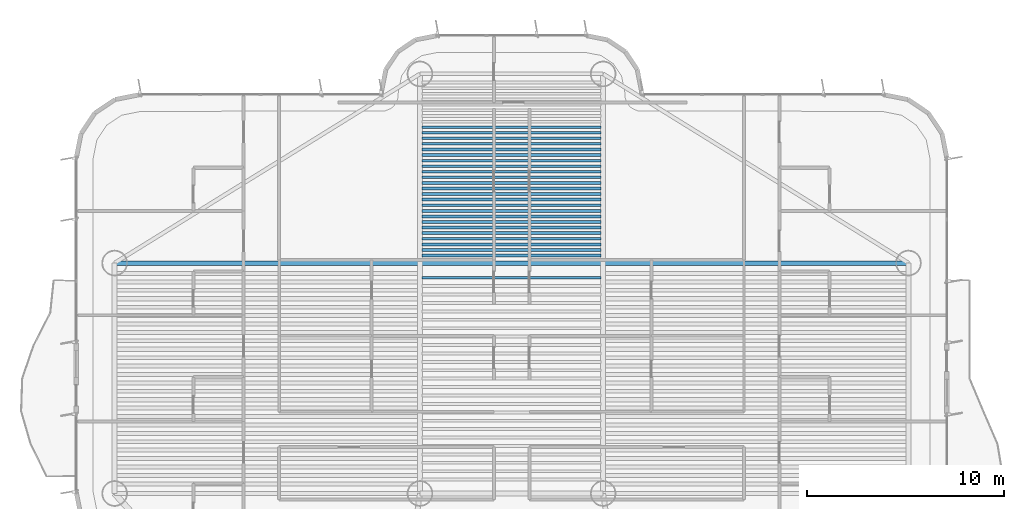
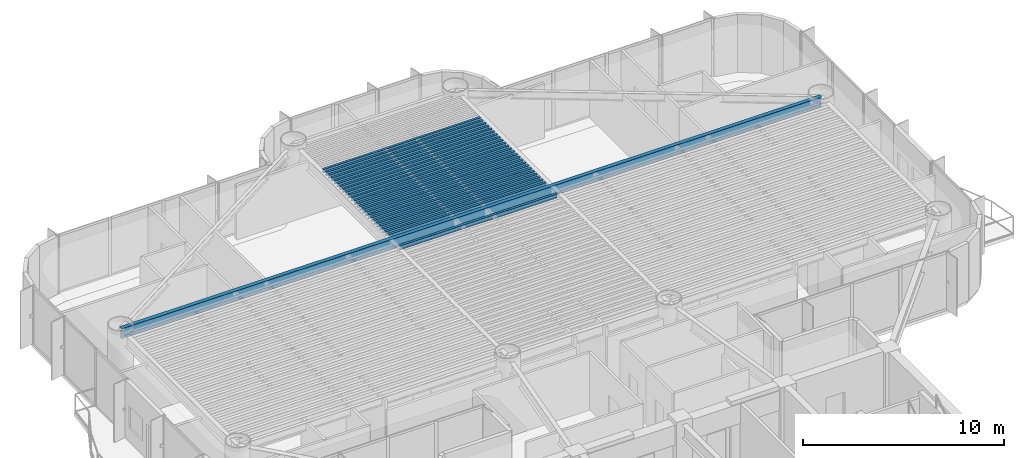
# One storey, part 6 of 17: 26 beams.
"""IFC4 building model written with IfcOpenShell, lengths in metres."""

from ifc_helpers import new_model, si_unit, direction, frame, origin, origin_2d, place, context, subcontext, project, spatial, i_section, extrude, source, transform, mapped, material, material_profile, profile_set, type_object, element, save


model = new_model("IFC4")

# Units and contexts
model_context = context("Model", 3, precision=1e-05, world=origin(), true_north=direction((0.0, 1.0)))
body_context = subcontext(model_context, "Body", "Model", "MODEL_VIEW")
ifc_project = project(units=[si_unit("LENGTHUNIT", "METRE"), si_unit("AREAUNIT", "SQUARE_METRE"), si_unit("VOLUMEUNIT", "CUBIC_METRE"), si_unit("PLANEANGLEUNIT", "RADIAN"), si_unit("MASSUNIT", "GRAM", prefix="KILO")], contexts=[model_context])

# Site, building, storey
site_placement = place(None, origin())
site = spatial("IfcSite", under=ifc_project, at=site_placement, CompositionType="ELEMENT")
building_placement = place(site_placement, origin())
building = spatial("IfcBuilding", under=site, at=building_placement, Name="Brelvock Crest Care Tower", CompositionType="ELEMENT")
storey_placement = place(building_placement, frame((0.0, 0.0, 135.179931640625)))
storey = spatial("IfcBuildingStorey", under=building, at=storey_placement, Name="L34", CompositionType="ELEMENT", Elevation=135.179931640625)

# Beams
ifc_material = material(Name="Steel Grade 350", Category="steel")
ifc_material_profile_1 = material_profile(ifc_material, i_section(OverallWidth=0.14599609375, OverallDepth=0.256103515625, WebThickness=0.00634765625, FlangeThickness=0.010986328125, FilletRadius=0.0087890625, at=origin_2d()), Name="250UB37.3")
ifc_profile_set_1 = profile_set([ifc_material_profile_1], Name="Steel Grade 350")
beam_type_1 = type_object("IfcBeamType", Name="BM-J3", PredefinedType="JOIST", material=ifc_profile_set_1)
shared_shape_1 = source(origin(), body_context, "Body", "SweptSolid", [
    extrude(i_section(OverallWidth=0.14599609375, OverallDepth=0.256103515625, WebThickness=0.00634765625, FlangeThickness=0.010986328125, FilletRadius=0.0087890625, at=origin_2d()), origin(), (0.0, 0.0, 1.0), 9.06982421875),
])
for number, where, z_axis, x_axis, name in (
    (1, (31.465087890625, 38.10400390625, 3.402099609375), (1.0, 0.0, 0.0), (0.0, 1.0, 0.0), "BM-JH-L34-25"),
    (2, (31.465087890625, 39.23388671875, 3.402099609375), (1.0, 0.0, 0.0), (0.0, 1.0, 0.0), "BM-JN-L34-1"),
    (3, (31.465087890625, 39.51708984375, 3.402099609375), (1.0, 0.0, 0.0), (0.0, 1.0, 0.0), "BM-JN-L34-2"),
    (4, (31.465087890625, 39.80029296875, 3.402099609375), (1.0, 0.0, 0.0), (0.0, 1.0, 0.0), "BM-JN-L34-3"),
    (5, (31.465087890625, 40.08349609375, 3.402099609375), (1.0, 0.0, 0.0), (0.0, 1.0, 0.0), "BM-JN-L34-4"),
    (6, (31.465087890625, 40.36669921875, 3.402099609375), (1.0, 0.0, 0.0), (0.0, 1.0, 0.0), "BM-JN-L34-5"),
    (7, (31.465087890625, 40.64990234375, 3.402099609375), (1.0, 0.0, 0.0), (0.0, 1.0, 0.0), "BM-JN-L34-6"),
    (8, (31.465087890625, 40.93310546875, 3.402099609375), (1.0, 0.0, 0.0), (0.0, 1.0, 0.0), "BM-JN-L34-7"),
    (9, (31.465087890625, 41.21630859375, 3.402099609375), (1.0, 0.0, 0.0), (0.0, 1.0, 0.0), "BM-JN-L34-8"),
    (10, (31.465087890625, 41.49951171875, 3.402099609375), (1.0, 0.0, 0.0), (0.0, 1.0, 0.0), "BM-JN-L34-9"),
    (11, (31.465087890625, 41.78271484375, 3.402099609375), (1.0, 0.0, 0.0), (0.0, 1.0, 0.0), "BM-JN-L34-10"),
    (12, (31.465087890625, 42.06591796875, 3.402099609375), (1.0, 0.0, 0.0), (0.0, 1.0, 0.0), "BM-JN-L34-11"),
    (13, (31.465087890625, 42.34912109375, 3.402099609375), (1.0, 0.0, 0.0), (0.0, 1.0, 0.0), "BM-JN-L34-12"),
    (14, (31.465087890625, 42.63232421875, 3.402099609375), (1.0, 0.0, 0.0), (0.0, 1.0, 0.0), "BM-JN-L34-13"),
):
    element("IfcBeam", number, at=place(storey_placement, frame(where, z_axis=z_axis, x_axis=x_axis)), inside=storey, type_object=beam_type_1, Name=name, PredefinedType="JOIST", context=body_context, shape_type="MappedRepresentation", body=[
        mapped(shared_shape_1, transform((0.0, 0.0, 0.0), x_axis=(1.0, 0.0, 0.0), y_axis=(0.0, 1.0, 0.0), z_axis=(0.0, 0.0, 1.0), scale=1.0)),
    ])
ifc_material_profile_2 = material_profile(ifc_material, i_section(OverallWidth=0.134033203125, OverallDepth=0.20703125, WebThickness=0.00634765625, FlangeThickness=0.009521484375, FilletRadius=0.0087890625, at=origin_2d()), Name="200UB29.8")
ifc_profile_set_2 = profile_set([ifc_material_profile_2], Name="Steel Grade 350")
beam_type_2 = type_object("IfcBeamType", Name="BM-J4", PredefinedType="JOIST", material=ifc_profile_set_2)
shared_shape_2 = source(origin(), body_context, "Body", "SweptSolid", [
    extrude(i_section(OverallWidth=0.134033203125, OverallDepth=0.20703125, WebThickness=0.00634765625, FlangeThickness=0.009521484375, FilletRadius=0.0087890625, at=origin_2d()), origin(), (0.0, 0.0, 1.0), 9.06982421875),
])
for number, where, z_axis, x_axis, name in (
    (15, (31.465087890625, 42.91552734375, 3.426513671875), (1.0, 0.0, 0.0), (0.0, 1.0, 0.0), "BM-JN-L34-14"),
    (16, (31.465087890625, 43.19873046875, 3.426513671875), (1.0, 0.0, 0.0), (0.0, 1.0, 0.0), "BM-JN-L34-15"),
    (17, (31.465087890625, 43.48193359375, 3.426513671875), (1.0, 0.0, 0.0), (0.0, 1.0, 0.0), "BM-JN-L34-16"),
    (18, (31.465087890625, 43.76513671875, 3.426513671875), (1.0, 0.0, 0.0), (0.0, 1.0, 0.0), "BM-JN-L34-17"),
    (19, (31.465087890625, 44.04833984375, 3.426513671875), (1.0, 0.0, 0.0), (0.0, 1.0, 0.0), "BM-JN-L34-18"),
    (20, (31.465087890625, 44.33154296875, 3.426513671875), (1.0, 0.0, 0.0), (0.0, 1.0, 0.0), "BM-JN-L34-19"),
    (21, (31.465087890625, 44.61474609375, 3.426513671875), (1.0, 0.0, 0.0), (0.0, 1.0, 0.0), "BM-JN-L34-20"),
    (22, (31.465087890625, 44.89794921875, 3.426513671875), (1.0, 0.0, 0.0), (0.0, 1.0, 0.0), "BM-JN-L34-21"),
    (23, (31.465087890625, 45.18115234375, 3.426513671875), (1.0, 0.0, 0.0), (0.0, 1.0, 0.0), "BM-JN-L34-22"),
    (24, (31.465087890625, 45.46435546875, 3.426513671875), (1.0, 0.0, 0.0), (0.0, 1.0, 0.0), "BM-JN-L34-23"),
    (25, (31.465087890625, 45.74755859375, 3.426513671875), (1.0, 0.0, 0.0), (0.0, 1.0, 0.0), "BM-JN-L34-24"),
):
    element("IfcBeam", number, at=place(storey_placement, frame(where, z_axis=z_axis, x_axis=x_axis)), inside=storey, type_object=beam_type_2, Name=name, PredefinedType="JOIST", context=body_context, shape_type="MappedRepresentation", body=[
        mapped(shared_shape_2, transform((0.0, 0.0, 0.0), x_axis=(1.0, 0.0, 0.0), y_axis=(0.0, 1.0, 0.0), z_axis=(0.0, 0.0, 1.0), scale=1.0)),
    ])
ifc_material_profile_3 = material_profile(ifc_material, i_section(OverallWidth=0.22900390625, OverallDepth=0.612060546875, WebThickness=0.011962890625, FlangeThickness=0.01953125, FilletRadius=0.013916015625, at=origin_2d()), Name="610UB125")
ifc_profile_set_3 = profile_set([ifc_material_profile_3], Name="Steel Grade 350")
beam_type_3 = type_object("IfcBeamType", Name="BM-G1", PredefinedType="BEAM", material=ifc_profile_set_3)
shared_shape_3 = source(origin(), body_context, "Body", "SweptSolid", [
    extrude(i_section(OverallWidth=0.22900390625, OverallDepth=0.612060546875, WebThickness=0.011962890625, FlangeThickness=0.01953125, FilletRadius=0.013916015625, at=origin_2d()), origin(), (0.0, 0.0, 1.0), 40.2998046875),
])
beam_placement = place(storey_placement, frame((15.85009765625, 38.85009765625, 3.22412109375), z_axis=(1.0, 0.0, 0.0), x_axis=(0.0, 1.0, 0.0)))
element("IfcBeam", 26, at=beam_placement, inside=storey, type_object=beam_type_3, Name="BM-TWR-L34-11", PredefinedType="BEAM", context=body_context, shape_type="MappedRepresentation", body=[
    mapped(shared_shape_3, transform((0.0, 0.0, 0.0), x_axis=(1.0, 0.0, 0.0), y_axis=(0.0, 1.0, 0.0), z_axis=(0.0, 0.0, 1.0), scale=1.0)),
])

save(model, "model.ifc")
